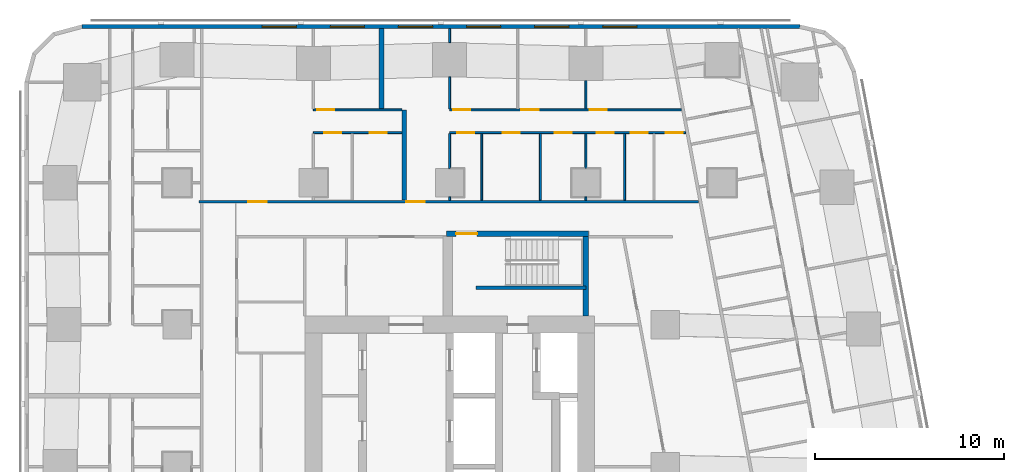
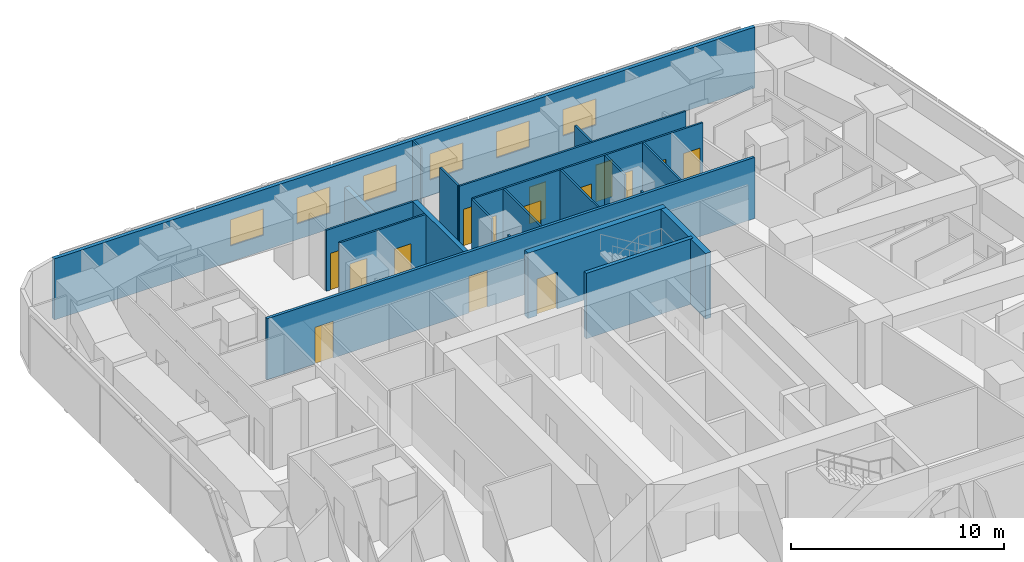
# One storey, part 10 of 15: 21 walls, 15 doors, 6 windows, 21 openings.
"""IFC4 building model written with IfcOpenShell, lengths in metres."""

from ifc_helpers import new_model, si_unit, direction, frame, frame_2d, origin, place, context, subcontext, project, spatial, rectangle, extrude, material, layer, layer_set, type_object, element, fill, save


model = new_model("IFC4")

# Units and contexts
model_context = context("Model", 3, precision=1e-05, world=origin(), true_north=direction((0.0, 1.0)))
body_context = subcontext(model_context, "Body", "Model", "MODEL_VIEW")
ifc_project = project(units=[si_unit("LENGTHUNIT", "METRE"), si_unit("AREAUNIT", "SQUARE_METRE"), si_unit("VOLUMEUNIT", "CUBIC_METRE"), si_unit("PLANEANGLEUNIT", "RADIAN"), si_unit("MASSUNIT", "GRAM", prefix="KILO")], contexts=[model_context])

# Site, building, storey
site_placement = place(None, origin())
site = spatial("IfcSite", under=ifc_project, at=site_placement, CompositionType="ELEMENT")
building_placement = place(site_placement, origin())
building = spatial("IfcBuilding", under=site, at=building_placement, Name="Sheger Commons Tower", CompositionType="ELEMENT")
storey_placement = place(building_placement, frame((0.0, 0.0, 162.050048828125)))
storey = spatial("IfcBuildingStorey", under=building, at=storey_placement, Name="L41", CompositionType="ELEMENT", Elevation=162.050048828125)

# Wall, openings, doors
ifc_material_1 = material(Name="Hollow concrete block masonry, skimmed both sides", Category="masonry")
ifc_layer_1 = layer(ifc_material_1, 0.14990234375)
ifc_layer_set_1 = layer_set([ifc_layer_1], Name="CORRIDOR WALL 150")
wall_type_1 = type_object("IfcWallType", Name="CORRIDOR WALL 150", PredefinedType="SOLIDWALL", material=ifc_layer_set_1)
wall_1_placement = place(storey_placement, frame((8.35009765625, 36.5, 0.0), z_axis=(0.0, 0.0, 1.0), x_axis=(1.0, 0.0, 0.0)))
wall_1 = element("IfcWall", 1, at=wall_1_placement, inside=storey, type_object=wall_type_1, Name="Corridor wall L41", PredefinedType="SOLIDWALL", context=body_context, shape_type="SweptSolid", body=[
    extrude(rectangle(XDim=26.414794921875, YDim=0.14990234375, at=frame_2d((13.20751953125, 0.0))), origin(), (0.0, 0.0, 1.0), 3.5),
])
opening_1_placement = place(wall_1_placement, frame((2.60009765625, 0.0, 0.0)))
opening_1 = element("IfcOpeningElement", 2, at=opening_1_placement, cuts=wall_1, Name="Opening D1", PredefinedType="OPENING", context=body_context, shape_type="SweptSolid", body=[
    extrude(rectangle(XDim=1.0, YDim=2.10009765625, at=frame_2d((0.5, 1.050048828125))), frame((0.0, 0.0849609375, 0.0), z_axis=(0.0, -1.0, 0.0), x_axis=(1.0, 0.0, 0.0)), (0.0, 0.0, 1.0), 0.169921875),
])
opening_2_placement = place(wall_1_placement, frame((10.948974609375, 0.0, 0.0)))
opening_2 = element("IfcOpeningElement", 3, at=opening_2_placement, cuts=wall_1, Name="Opening D1", PredefinedType="OPENING", context=body_context, shape_type="SweptSolid", body=[
    extrude(rectangle(XDim=1.0, YDim=2.10009765625, at=frame_2d((0.5, 1.050048828125))), frame((0.0, 0.0849609375, 0.0), z_axis=(0.0, -1.0, 0.0), x_axis=(1.0, 0.0, 0.0)), (0.0, 0.0, 1.0), 0.169921875),
])
ifc_material_2 = material(Name="Steel door set, fire rated", Category="steel")
door_type_1 = type_object("IfcDoorType", Name="FLAT ENTRANCE DOOR 1000x2100", OperationType="NOTDEFINED", PredefinedType="DOOR", material=ifc_material_2)
door_1_placement = place(opening_1_placement, origin())
door_1 = element("IfcDoor", 4, at=door_1_placement, inside=storey, type_object=door_type_1, Name="Flat entrance door", OperationType="SINGLE_SWING_LEFT", OverallHeight=2.10009765625, OverallWidth=1.0, PredefinedType="DOOR", context=body_context, shape_type="SweptSolid", body=[
    extrude(rectangle(XDim=1.0, YDim=2.10009765625, at=frame_2d((0.5, 1.050048828125))), frame((0.0, 0.02490234375, 0.0), z_axis=(0.0, -1.0, 0.0), x_axis=(1.0, 0.0, 0.0)), (0.0, 0.0, 1.0), 0.050048828125),
])
fill(opening_1, door_1)
door_2_placement = place(opening_2_placement, origin())
door_2 = element("IfcDoor", 5, at=door_2_placement, inside=storey, type_object=door_type_1, Name="Flat entrance door", OperationType="SINGLE_SWING_LEFT", OverallHeight=2.10009765625, OverallWidth=1.0, PredefinedType="DOOR", context=body_context, shape_type="SweptSolid", body=[
    extrude(rectangle(XDim=1.0, YDim=2.10009765625, at=frame_2d((0.5, 1.050048828125))), frame((0.0, 0.02490234375, 0.0), z_axis=(0.0, -1.0, 0.0), x_axis=(1.0, 0.0, 0.0)), (0.0, 0.0, 1.0), 0.050048828125),
])
fill(opening_2, door_2)

# Walls
ifc_material_3 = material(Name="Dense concrete block masonry, plastered both sides (separating wall between flats)", Category="masonry")
ifc_layer_2 = layer(ifc_material_3, 0.25)
ifc_layer_set_2 = layer_set([ifc_layer_2], Name="DEMISING WALL 250")
wall_type_2 = type_object("IfcWallType", Name="DEMISING WALL 250", PredefinedType="SOLIDWALL", material=ifc_layer_set_2)
wall_2_placement = place(storey_placement, frame((18.0, 41.39990234375, 0.0), z_axis=(0.0, 0.0, 1.0), x_axis=(0.0, 1.0, 0.0)))
element("IfcWall", 6, at=wall_2_placement, inside=storey, type_object=wall_type_2, Name="Demising wall L41", PredefinedType="SOLIDWALL", context=body_context, shape_type="SweptSolid", body=[
    extrude(rectangle(XDim=4.25, YDim=0.25, at=frame_2d((2.125, 0.0))), origin(), (0.0, 0.0, 1.0), 2.099853515625),
])
wall_3_placement = place(storey_placement, frame((19.198974609375, 36.574951171875, 0.0), z_axis=(0.0, 0.0, 1.0), x_axis=(0.0, 1.0, 0.0)))
element("IfcWall", 7, at=wall_3_placement, inside=storey, type_object=wall_type_2, Name="Demising wall L41", PredefinedType="SOLIDWALL", context=body_context, shape_type="SweptSolid", body=[
    extrude(rectangle(XDim=4.775146484375, YDim=0.25, at=frame_2d((2.3876953125, 0.0))), origin(), (0.0, 0.0, 1.0), 3.5),
])

# Wall, openings, windows
ifc_material_4 = material(Name="Rendered concrete block masonry, dark grey", Category="masonry")
ifc_layer_3 = layer(ifc_material_4, 0.199951171875)
ifc_layer_set_3 = layer_set([ifc_layer_3], Name="FACADE WALL 200")
wall_type_3 = type_object("IfcWallType", Name="FACADE WALL 200", PredefinedType="SOLIDWALL", material=ifc_layer_set_3)
wall_4_placement = place(storey_placement, frame((40.10595703125, 45.75, 0.0), z_axis=(0.0, 0.0, 1.0), x_axis=(-1.0, 0.0, 0.0)))
wall_4 = element("IfcWall", 8, at=wall_4_placement, inside=storey, type_object=wall_type_3, Name="Facade wall L41", PredefinedType="SOLIDWALL", context=body_context, shape_type="SweptSolid", body=[
    extrude(rectangle(XDim=37.94287109375, YDim=0.199951171875, at=frame_2d((18.971435546875, 0.0))), origin(), (0.0, 0.0, 1.0), 3.5),
])
opening_3_placement = place(wall_4_placement, frame((8.60595703125, 0.0, 0.89990234375)))
opening_3 = element("IfcOpeningElement", 9, at=opening_3_placement, cuts=wall_4, Name="Opening W2", PredefinedType="OPENING", context=body_context, shape_type="SweptSolid", body=[
    extrude(rectangle(XDim=1.800048828125, YDim=1.5, at=frame_2d((0.89990234375, 0.75))), frame((0.0, 0.10986328125, 0.0), z_axis=(0.0, -1.0, 0.0), x_axis=(1.0, 0.0, 0.0)), (0.0, 0.0, 1.0), 0.219970703125),
])
opening_4_placement = place(wall_4_placement, frame((12.2060546875, 0.0, 0.89990234375)))
opening_4 = element("IfcOpeningElement", 10, at=opening_4_placement, cuts=wall_4, Name="Opening W2", PredefinedType="OPENING", context=body_context, shape_type="SweptSolid", body=[
    extrude(rectangle(XDim=1.800048828125, YDim=1.5, at=frame_2d((0.89990234375, 0.75))), frame((0.0, 0.10986328125, 0.0), z_axis=(0.0, -1.0, 0.0), x_axis=(1.0, 0.0, 0.0)), (0.0, 0.0, 1.0), 0.219970703125),
])
opening_5_placement = place(wall_4_placement, frame((15.805908203125, 0.0, 0.89990234375)))
opening_5 = element("IfcOpeningElement", 11, at=opening_5_placement, cuts=wall_4, Name="Opening W2", PredefinedType="OPENING", context=body_context, shape_type="SweptSolid", body=[
    extrude(rectangle(XDim=1.800048828125, YDim=1.5, at=frame_2d((0.89990234375, 0.75))), frame((0.0, 0.10986328125, 0.0), z_axis=(0.0, -1.0, 0.0), x_axis=(1.0, 0.0, 0.0)), (0.0, 0.0, 1.0), 0.219970703125),
])
opening_6_placement = place(wall_4_placement, frame((19.406005859375, 0.0, 0.89990234375)))
opening_6 = element("IfcOpeningElement", 12, at=opening_6_placement, cuts=wall_4, Name="Opening W2", PredefinedType="OPENING", context=body_context, shape_type="SweptSolid", body=[
    extrude(rectangle(XDim=1.800048828125, YDim=1.5, at=frame_2d((0.89990234375, 0.75))), frame((0.0, 0.10986328125, 0.0), z_axis=(0.0, -1.0, 0.0), x_axis=(1.0, 0.0, 0.0)), (0.0, 0.0, 1.0), 0.219970703125),
])
opening_7_placement = place(wall_4_placement, frame((23.006103515625, 0.0, 0.89990234375)))
opening_7 = element("IfcOpeningElement", 13, at=opening_7_placement, cuts=wall_4, Name="Opening W2", PredefinedType="OPENING", context=body_context, shape_type="SweptSolid", body=[
    extrude(rectangle(XDim=1.800048828125, YDim=1.5, at=frame_2d((0.89990234375, 0.75))), frame((0.0, 0.10986328125, 0.0), z_axis=(0.0, -1.0, 0.0), x_axis=(1.0, 0.0, 0.0)), (0.0, 0.0, 1.0), 0.219970703125),
])
opening_8_placement = place(wall_4_placement, frame((26.60595703125, 0.0, 0.89990234375)))
opening_8 = element("IfcOpeningElement", 14, at=opening_8_placement, cuts=wall_4, Name="Opening W2", PredefinedType="OPENING", context=body_context, shape_type="SweptSolid", body=[
    extrude(rectangle(XDim=1.800048828125, YDim=1.5, at=frame_2d((0.89990234375, 0.75))), frame((0.0, 0.10986328125, 0.0), z_axis=(0.0, -1.0, 0.0), x_axis=(1.0, 0.0, 0.0)), (0.0, 0.0, 1.0), 0.219970703125),
])
ifc_material_5 = material(Name="Black aluminium frame, dark tinted double glazing", Category="aluminium")
window_type = type_object("IfcWindowType", Name="WINDOW W2 1800x1500", PartitioningType="SINGLE_PANEL", PredefinedType="WINDOW", material=ifc_material_5)
window_1_placement = place(opening_3_placement, origin())
window_1 = element("IfcWindow", 15, at=window_1_placement, inside=storey, type_object=window_type, Name="Window W2 1800X1500", OverallHeight=1.5, OverallWidth=1.800048828125, PartitioningType="SINGLE_PANEL", PredefinedType="WINDOW", context=body_context, shape_type="SweptSolid", body=[
    extrude(rectangle(XDim=1.800048828125, YDim=1.5, at=frame_2d((0.89990234375, 0.75))), frame((0.0, 0.030029296875, 0.0), z_axis=(0.0, -1.0, 0.0), x_axis=(1.0, 0.0, 0.0)), (0.0, 0.0, 1.0), 0.06005859375),
])
fill(opening_3, window_1)
window_2_placement = place(opening_4_placement, origin())
window_2 = element("IfcWindow", 16, at=window_2_placement, inside=storey, type_object=window_type, Name="Window W2 1800X1500", OverallHeight=1.5, OverallWidth=1.800048828125, PartitioningType="SINGLE_PANEL", PredefinedType="WINDOW", context=body_context, shape_type="SweptSolid", body=[
    extrude(rectangle(XDim=1.800048828125, YDim=1.5, at=frame_2d((0.89990234375, 0.75))), frame((0.0, 0.030029296875, 0.0), z_axis=(0.0, -1.0, 0.0), x_axis=(1.0, 0.0, 0.0)), (0.0, 0.0, 1.0), 0.06005859375),
])
fill(opening_4, window_2)
window_3_placement = place(opening_5_placement, origin())
window_3 = element("IfcWindow", 17, at=window_3_placement, inside=storey, type_object=window_type, Name="Window W2 1800X1500", OverallHeight=1.5, OverallWidth=1.800048828125, PartitioningType="SINGLE_PANEL", PredefinedType="WINDOW", context=body_context, shape_type="SweptSolid", body=[
    extrude(rectangle(XDim=1.800048828125, YDim=1.5, at=frame_2d((0.89990234375, 0.75))), frame((0.0, 0.030029296875, 0.0), z_axis=(0.0, -1.0, 0.0), x_axis=(1.0, 0.0, 0.0)), (0.0, 0.0, 1.0), 0.06005859375),
])
fill(opening_5, window_3)
window_4_placement = place(opening_6_placement, origin())
window_4 = element("IfcWindow", 18, at=window_4_placement, inside=storey, type_object=window_type, Name="Window W2 1800X1500", OverallHeight=1.5, OverallWidth=1.800048828125, PartitioningType="SINGLE_PANEL", PredefinedType="WINDOW", context=body_context, shape_type="SweptSolid", body=[
    extrude(rectangle(XDim=1.800048828125, YDim=1.5, at=frame_2d((0.89990234375, 0.75))), frame((0.0, 0.030029296875, 0.0), z_axis=(0.0, -1.0, 0.0), x_axis=(1.0, 0.0, 0.0)), (0.0, 0.0, 1.0), 0.06005859375),
])
fill(opening_6, window_4)
window_5_placement = place(opening_7_placement, origin())
window_5 = element("IfcWindow", 19, at=window_5_placement, inside=storey, type_object=window_type, Name="Window W2 1800X1500", OverallHeight=1.5, OverallWidth=1.800048828125, PartitioningType="SINGLE_PANEL", PredefinedType="WINDOW", context=body_context, shape_type="SweptSolid", body=[
    extrude(rectangle(XDim=1.800048828125, YDim=1.5, at=frame_2d((0.89990234375, 0.75))), frame((0.0, 0.030029296875, 0.0), z_axis=(0.0, -1.0, 0.0), x_axis=(1.0, 0.0, 0.0)), (0.0, 0.0, 1.0), 0.06005859375),
])
fill(opening_7, window_5)
window_6_placement = place(opening_8_placement, origin())
window_6 = element("IfcWindow", 20, at=window_6_placement, inside=storey, type_object=window_type, Name="Window W2 1800X1500", OverallHeight=1.5, OverallWidth=1.800048828125, PartitioningType="SINGLE_PANEL", PredefinedType="WINDOW", context=body_context, shape_type="SweptSolid", body=[
    extrude(rectangle(XDim=1.800048828125, YDim=1.5, at=frame_2d((0.89990234375, 0.75))), frame((0.0, 0.030029296875, 0.0), z_axis=(0.0, -1.0, 0.0), x_axis=(1.0, 0.0, 0.0)), (0.0, 0.0, 1.0), 0.06005859375),
])
fill(opening_8, window_6)

# Wall, opening, door
ifc_material_6 = material(Name="Gypsum board on steel studs", Category="steel")
ifc_layer_4 = layer(ifc_material_6, 0.10009765625)
ifc_layer_set_4 = layer_set([ifc_layer_4], Name="PARTITION 100")
wall_type_4 = type_object("IfcWallType", Name="PARTITION 100", PredefinedType="PARTITIONING", material=ifc_layer_set_4)
wall_5_placement = place(storey_placement, frame((14.39990234375, 41.35009765625, 0.0), z_axis=(0.0, 0.0, 1.0), x_axis=(1.0, 0.0, 0.0)))
wall_5 = element("IfcWall", 21, at=wall_5_placement, inside=storey, type_object=wall_type_4, Name="Partition L41", PredefinedType="PARTITIONING", context=body_context, shape_type="SweptSolid", body=[
    extrude(rectangle(XDim=4.674072265625, YDim=0.10009765625, at=frame_2d((2.3369140625, 0.0))), origin(), (0.0, 0.0, 1.0), 3.5),
])
opening_9_placement = place(wall_5_placement, frame((0.199951171875, 0.0, 0.0)))
opening_9 = element("IfcOpeningElement", 22, at=opening_9_placement, cuts=wall_5, Name="Opening D2", PredefinedType="OPENING", context=body_context, shape_type="SweptSolid", body=[
    extrude(rectangle(XDim=0.89990234375, YDim=2.10009765625, at=frame_2d((0.449951171875, 1.050048828125))), frame((0.0, 0.06005859375, 0.0), z_axis=(0.0, -1.0, 0.0), x_axis=(1.0, 0.0, 0.0)), (0.0, 0.0, 1.0), 0.1201171875),
])
ifc_material_7 = material(Name="Timber door set", Category="wood")
door_type_2 = type_object("IfcDoorType", Name="INTERNAL DOOR 900x2100", OperationType="NOTDEFINED", PredefinedType="DOOR", material=ifc_material_7)
door_3_placement = place(opening_9_placement, origin())
door_3 = element("IfcDoor", 23, at=door_3_placement, inside=storey, type_object=door_type_2, Name="Main bedroom door", OperationType="SINGLE_SWING_LEFT", OverallHeight=2.10009765625, OverallWidth=0.89990234375, PredefinedType="DOOR", context=body_context, shape_type="SweptSolid", body=[
    extrude(rectangle(XDim=0.89990234375, YDim=2.10009765625, at=frame_2d((0.449951171875, 1.050048828125))), frame((0.0, 0.02490234375, 0.0), z_axis=(0.0, -1.0, 0.0), x_axis=(1.0, 0.0, 0.0)), (0.0, 0.0, 1.0), 0.050048828125),
])
fill(opening_9, door_3)

# Wall, openings, doors
wall_6_placement = place(storey_placement, frame((14.39990234375, 40.14990234375, 0.0), z_axis=(0.0, 0.0, 1.0), x_axis=(1.0, 0.0, 0.0)))
wall_6 = element("IfcWall", 24, at=wall_6_placement, inside=storey, type_object=wall_type_4, Name="Partition L41", PredefinedType="PARTITIONING", context=body_context, shape_type="SweptSolid", body=[
    extrude(rectangle(XDim=4.674072265625, YDim=0.10009765625, at=frame_2d((2.3369140625, 0.0))), origin(), (0.0, 0.0, 1.0), 3.5),
])
opening_10_placement = place(wall_6_placement, frame((0.574951171875, 0.0, 0.0)))
opening_10 = element("IfcOpeningElement", 25, at=opening_10_placement, cuts=wall_6, Name="Opening D2", PredefinedType="OPENING", context=body_context, shape_type="SweptSolid", body=[
    extrude(rectangle(XDim=0.89990234375, YDim=2.10009765625, at=frame_2d((0.449951171875, 1.050048828125))), frame((0.0, 0.06005859375, 0.0), z_axis=(0.0, -1.0, 0.0), x_axis=(1.0, 0.0, 0.0)), (0.0, 0.0, 1.0), 0.1201171875),
])
opening_11_placement = place(wall_6_placement, frame((2.97509765625, 0.0, 0.0)))
opening_11 = element("IfcOpeningElement", 26, at=opening_11_placement, cuts=wall_6, Name="Opening D2", PredefinedType="OPENING", context=body_context, shape_type="SweptSolid", body=[
    extrude(rectangle(XDim=0.89990234375, YDim=2.10009765625, at=frame_2d((0.449951171875, 1.050048828125))), frame((0.0, 0.06005859375, 0.0), z_axis=(0.0, -1.0, 0.0), x_axis=(1.0, 0.0, 0.0)), (0.0, 0.0, 1.0), 0.1201171875),
])
door_4_placement = place(opening_10_placement, origin())
door_4 = element("IfcDoor", 27, at=door_4_placement, inside=storey, type_object=door_type_2, Name="Bathroom door", OperationType="SINGLE_SWING_RIGHT", OverallHeight=2.10009765625, OverallWidth=0.89990234375, PredefinedType="DOOR", context=body_context, shape_type="SweptSolid", body=[
    extrude(rectangle(XDim=0.89990234375, YDim=2.10009765625, at=frame_2d((0.449951171875, 1.050048828125))), frame((0.0, 0.02490234375, 0.0), z_axis=(0.0, -1.0, 0.0), x_axis=(1.0, 0.0, 0.0)), (0.0, 0.0, 1.0), 0.050048828125),
])
fill(opening_10, door_4)
door_5_placement = place(opening_11_placement, origin())
door_5 = element("IfcDoor", 28, at=door_5_placement, inside=storey, type_object=door_type_2, Name="Store door", OperationType="SINGLE_SWING_LEFT", OverallHeight=2.10009765625, OverallWidth=0.89990234375, PredefinedType="DOOR", context=body_context, shape_type="SweptSolid", body=[
    extrude(rectangle(XDim=0.89990234375, YDim=2.10009765625, at=frame_2d((0.449951171875, 1.050048828125))), frame((0.0, 0.02490234375, 0.0), z_axis=(0.0, -1.0, 0.0), x_axis=(1.0, 0.0, 0.0)), (0.0, 0.0, 1.0), 0.050048828125),
])
fill(opening_11, door_5)

wall_7_placement = place(storey_placement, frame((21.60009765625, 41.35009765625, 0.0), z_axis=(0.0, 0.0, 1.0), x_axis=(1.0, 0.0, 0.0)))
wall_7 = element("IfcWall", 29, at=wall_7_placement, inside=storey, type_object=wall_type_4, Name="Partition L41", PredefinedType="PARTITIONING", context=body_context, shape_type="SweptSolid", body=[
    extrude(rectangle(XDim=12.2529296875, YDim=0.10009765625, at=frame_2d((6.12646484375, 0.0))), origin(), (0.0, 0.0, 1.0), 3.5),
])
opening_12_placement = place(wall_7_placement, frame((0.199951171875, 0.0, 0.0)))
opening_12 = element("IfcOpeningElement", 30, at=opening_12_placement, cuts=wall_7, Name="Opening D2", PredefinedType="OPENING", context=body_context, shape_type="SweptSolid", body=[
    extrude(rectangle(XDim=0.89990234375, YDim=2.10009765625, at=frame_2d((0.449951171875, 1.050048828125))), frame((0.0, 0.06005859375, 0.0), z_axis=(0.0, -1.0, 0.0), x_axis=(1.0, 0.0, 0.0)), (0.0, 0.0, 1.0), 0.1201171875),
])
opening_13_placement = place(wall_7_placement, frame((3.800048828125, 0.0, 0.0)))
opening_13 = element("IfcOpeningElement", 31, at=opening_13_placement, cuts=wall_7, Name="Opening D2", PredefinedType="OPENING", context=body_context, shape_type="SweptSolid", body=[
    extrude(rectangle(XDim=0.89990234375, YDim=2.10009765625, at=frame_2d((0.449951171875, 1.050048828125))), frame((0.0, 0.06005859375, 0.0), z_axis=(0.0, -1.0, 0.0), x_axis=(1.0, 0.0, 0.0)), (0.0, 0.0, 1.0), 0.1201171875),
])
opening_14_placement = place(wall_7_placement, frame((7.39990234375, 0.0, 0.0)))
opening_14 = element("IfcOpeningElement", 32, at=opening_14_placement, cuts=wall_7, Name="Opening D2", PredefinedType="OPENING", context=body_context, shape_type="SweptSolid", body=[
    extrude(rectangle(XDim=0.89990234375, YDim=2.10009765625, at=frame_2d((0.449951171875, 1.050048828125))), frame((0.0, 0.06005859375, 0.0), z_axis=(0.0, -1.0, 0.0), x_axis=(1.0, 0.0, 0.0)), (0.0, 0.0, 1.0), 0.1201171875),
])
door_6_placement = place(opening_12_placement, origin())
door_6 = element("IfcDoor", 33, at=door_6_placement, inside=storey, type_object=door_type_2, Name="Main bedroom door", OperationType="SINGLE_SWING_LEFT", OverallHeight=2.10009765625, OverallWidth=0.89990234375, PredefinedType="DOOR", context=body_context, shape_type="SweptSolid", body=[
    extrude(rectangle(XDim=0.89990234375, YDim=2.10009765625, at=frame_2d((0.449951171875, 1.050048828125))), frame((0.0, 0.02490234375, 0.0), z_axis=(0.0, -1.0, 0.0), x_axis=(1.0, 0.0, 0.0)), (0.0, 0.0, 1.0), 0.050048828125),
])
fill(opening_12, door_6)
door_7_placement = place(opening_13_placement, origin())
door_7 = element("IfcDoor", 34, at=door_7_placement, inside=storey, type_object=door_type_2, Name="Bedroom 2 door", OperationType="SINGLE_SWING_LEFT", OverallHeight=2.10009765625, OverallWidth=0.89990234375, PredefinedType="DOOR", context=body_context, shape_type="SweptSolid", body=[
    extrude(rectangle(XDim=0.89990234375, YDim=2.10009765625, at=frame_2d((0.449951171875, 1.050048828125))), frame((0.0, 0.02490234375, 0.0), z_axis=(0.0, -1.0, 0.0), x_axis=(1.0, 0.0, 0.0)), (0.0, 0.0, 1.0), 0.050048828125),
])
fill(opening_13, door_7)
door_8_placement = place(opening_14_placement, origin())
door_8 = element("IfcDoor", 35, at=door_8_placement, inside=storey, type_object=door_type_2, Name="Bedroom 3 door", OperationType="SINGLE_SWING_LEFT", OverallHeight=2.10009765625, OverallWidth=0.89990234375, PredefinedType="DOOR", context=body_context, shape_type="SweptSolid", body=[
    extrude(rectangle(XDim=0.89990234375, YDim=2.10009765625, at=frame_2d((0.449951171875, 1.050048828125))), frame((0.0, 0.02490234375, 0.0), z_axis=(0.0, -1.0, 0.0), x_axis=(1.0, 0.0, 0.0)), (0.0, 0.0, 1.0), 0.050048828125),
])
fill(opening_14, door_8)

wall_8_placement = place(storey_placement, frame((21.60009765625, 40.14990234375, 0.0), z_axis=(0.0, 0.0, 1.0), x_axis=(1.0, 0.0, 0.0)))
wall_8 = element("IfcWall", 36, at=wall_8_placement, inside=storey, type_object=wall_type_4, Name="Partition L41", PredefinedType="PARTITIONING", context=body_context, shape_type="SweptSolid", body=[
    extrude(rectangle(XDim=12.47998046875, YDim=0.10009765625, at=frame_2d((6.239990234375, 0.0))), origin(), (0.0, 0.0, 1.0), 3.5),
])
opening_15_placement = place(wall_8_placement, frame((0.39990234375, 0.0, 0.0)))
opening_15 = element("IfcOpeningElement", 37, at=opening_15_placement, cuts=wall_8, Name="Opening D2", PredefinedType="OPENING", context=body_context, shape_type="SweptSolid", body=[
    extrude(rectangle(XDim=0.89990234375, YDim=2.10009765625, at=frame_2d((0.449951171875, 1.050048828125))), frame((0.0, 0.06005859375, 0.0), z_axis=(0.0, -1.0, 0.0), x_axis=(1.0, 0.0, 0.0)), (0.0, 0.0, 1.0), 0.1201171875),
])
opening_16_placement = place(wall_8_placement, frame((5.549072265625, 0.0, 0.0)))
opening_16 = element("IfcOpeningElement", 38, at=opening_16_placement, cuts=wall_8, Name="Opening D2", PredefinedType="OPENING", context=body_context, shape_type="SweptSolid", body=[
    extrude(rectangle(XDim=0.89990234375, YDim=2.10009765625, at=frame_2d((0.449951171875, 1.050048828125))), frame((0.0, 0.06005859375, 0.0), z_axis=(0.0, -1.0, 0.0), x_axis=(1.0, 0.0, 0.0)), (0.0, 0.0, 1.0), 0.1201171875),
])
opening_17_placement = place(wall_8_placement, frame((7.77490234375, 0.0, 0.0)))
opening_17 = element("IfcOpeningElement", 39, at=opening_17_placement, cuts=wall_8, Name="Opening D2", PredefinedType="OPENING", context=body_context, shape_type="SweptSolid", body=[
    extrude(rectangle(XDim=0.89990234375, YDim=2.10009765625, at=frame_2d((0.449951171875, 1.050048828125))), frame((0.0, 0.06005859375, 0.0), z_axis=(0.0, -1.0, 0.0), x_axis=(1.0, 0.0, 0.0)), (0.0, 0.0, 1.0), 0.1201171875),
])
opening_18_placement = place(wall_8_placement, frame((11.429931640625, 0.0, 0.0)))
opening_18 = element("IfcOpeningElement", 40, at=opening_18_placement, cuts=wall_8, Name="Opening D2", PredefinedType="OPENING", context=body_context, shape_type="SweptSolid", body=[
    extrude(rectangle(XDim=0.89990234375, YDim=2.10009765625, at=frame_2d((0.449951171875, 1.050048828125))), frame((0.0, 0.06005859375, 0.0), z_axis=(0.0, -1.0, 0.0), x_axis=(1.0, 0.0, 0.0)), (0.0, 0.0, 1.0), 0.1201171875),
])
opening_19_placement = place(wall_8_placement, frame((2.799072265625, 0.0, 0.0)))
opening_19 = element("IfcOpeningElement", 41, at=opening_19_placement, cuts=wall_8, Name="Opening D2", PredefinedType="OPENING", context=body_context, shape_type="SweptSolid", body=[
    extrude(rectangle(XDim=0.89990234375, YDim=2.10009765625, at=frame_2d((0.449951171875, 1.050048828125))), frame((0.0, 0.06005859375, 0.0), z_axis=(0.0, -1.0, 0.0), x_axis=(1.0, 0.0, 0.0)), (0.0, 0.0, 1.0), 0.1201171875),
])
opening_20_placement = place(wall_8_placement, frame((9.574951171875, 0.0, 0.0)))
opening_20 = element("IfcOpeningElement", 42, at=opening_20_placement, cuts=wall_8, Name="Opening D2", PredefinedType="OPENING", context=body_context, shape_type="SweptSolid", body=[
    extrude(rectangle(XDim=0.89990234375, YDim=2.10009765625, at=frame_2d((0.449951171875, 1.050048828125))), frame((0.0, 0.06005859375, 0.0), z_axis=(0.0, -1.0, 0.0), x_axis=(1.0, 0.0, 0.0)), (0.0, 0.0, 1.0), 0.1201171875),
])
door_9_placement = place(opening_15_placement, origin())
door_9 = element("IfcDoor", 43, at=door_9_placement, inside=storey, type_object=door_type_2, Name="Laundry room door", OperationType="SINGLE_SWING_RIGHT", OverallHeight=2.10009765625, OverallWidth=0.89990234375, PredefinedType="DOOR", context=body_context, shape_type="SweptSolid", body=[
    extrude(rectangle(XDim=0.89990234375, YDim=2.10009765625, at=frame_2d((0.449951171875, 1.050048828125))), frame((0.0, 0.02490234375, 0.0), z_axis=(0.0, -1.0, 0.0), x_axis=(1.0, 0.0, 0.0)), (0.0, 0.0, 1.0), 0.050048828125),
])
fill(opening_15, door_9)
door_10_placement = place(opening_16_placement, origin())
door_10 = element("IfcDoor", 44, at=door_10_placement, inside=storey, type_object=door_type_2, Name="Laundry room door", OperationType="SINGLE_SWING_LEFT", OverallHeight=2.10009765625, OverallWidth=0.89990234375, PredefinedType="DOOR", context=body_context, shape_type="SweptSolid", body=[
    extrude(rectangle(XDim=0.89990234375, YDim=2.10009765625, at=frame_2d((0.449951171875, 1.050048828125))), frame((0.0, 0.02490234375, 0.0), z_axis=(0.0, -1.0, 0.0), x_axis=(1.0, 0.0, 0.0)), (0.0, 0.0, 1.0), 0.050048828125),
])
fill(opening_16, door_10)
door_11_placement = place(opening_17_placement, origin())
door_11 = element("IfcDoor", 45, at=door_11_placement, inside=storey, type_object=door_type_2, Name="Bathroom door", OperationType="SINGLE_SWING_LEFT", OverallHeight=2.10009765625, OverallWidth=0.89990234375, PredefinedType="DOOR", context=body_context, shape_type="SweptSolid", body=[
    extrude(rectangle(XDim=0.89990234375, YDim=2.10009765625, at=frame_2d((0.449951171875, 1.050048828125))), frame((0.0, 0.02490234375, 0.0), z_axis=(0.0, -1.0, 0.0), x_axis=(1.0, 0.0, 0.0)), (0.0, 0.0, 1.0), 0.050048828125),
])
fill(opening_17, door_11)
door_12_placement = place(opening_18_placement, origin())
door_12 = element("IfcDoor", 46, at=door_12_placement, inside=storey, type_object=door_type_2, Name="Store and laundry door", OperationType="SINGLE_SWING_LEFT", OverallHeight=2.10009765625, OverallWidth=0.89990234375, PredefinedType="DOOR", context=body_context, shape_type="SweptSolid", body=[
    extrude(rectangle(XDim=0.89990234375, YDim=2.10009765625, at=frame_2d((0.449951171875, 1.050048828125))), frame((0.0, 0.02490234375, 0.0), z_axis=(0.0, -1.0, 0.0), x_axis=(1.0, 0.0, 0.0)), (0.0, 0.0, 1.0), 0.050048828125),
])
fill(opening_18, door_12)
door_13_placement = place(opening_19_placement, origin())
door_13 = element("IfcDoor", 47, at=door_13_placement, inside=storey, type_object=door_type_2, Name="Store door", OperationType="SINGLE_SWING_RIGHT", OverallHeight=2.10009765625, OverallWidth=0.89990234375, PredefinedType="DOOR", context=body_context, shape_type="SweptSolid", body=[
    extrude(rectangle(XDim=0.89990234375, YDim=2.10009765625, at=frame_2d((0.449951171875, 1.050048828125))), frame((0.0, 0.02490234375, 0.0), z_axis=(0.0, -1.0, 0.0), x_axis=(1.0, 0.0, 0.0)), (0.0, 0.0, 1.0), 0.050048828125),
])
fill(opening_19, door_13)
door_14_placement = place(opening_20_placement, origin())
door_14 = element("IfcDoor", 48, at=door_14_placement, inside=storey, type_object=door_type_2, Name="Store door", OperationType="SINGLE_SWING_RIGHT", OverallHeight=2.10009765625, OverallWidth=0.89990234375, PredefinedType="DOOR", context=body_context, shape_type="SweptSolid", body=[
    extrude(rectangle(XDim=0.89990234375, YDim=2.10009765625, at=frame_2d((0.449951171875, 1.050048828125))), frame((0.0, 0.02490234375, 0.0), z_axis=(0.0, -1.0, 0.0), x_axis=(1.0, 0.0, 0.0)), (0.0, 0.0, 1.0), 0.050048828125),
])
fill(opening_20, door_14)

# Walls
wall_9_placement = place(storey_placement, frame((21.60009765625, 41.39990234375, 0.0), z_axis=(0.0, 0.0, 1.0), x_axis=(0.0, 1.0, 0.0)))
element("IfcWall", 49, at=wall_9_placement, inside=storey, type_object=wall_type_4, Name="Partition L41", PredefinedType="PARTITIONING", context=body_context, shape_type="SweptSolid", body=[
    extrude(rectangle(XDim=1.69921875, YDim=0.10009765625, at=frame_2d((0.849609375, 0.0))), origin(), (0.0, 0.0, 1.0), 3.5),
])
wall_10_placement = place(storey_placement, frame((21.60009765625, 44.90087890625, 0.0), z_axis=(0.0, 0.0, 1.0), x_axis=(0.0, 1.0, 0.0)))
element("IfcWall", 50, at=wall_10_placement, inside=storey, type_object=wall_type_4, Name="Partition L41", PredefinedType="PARTITIONING", context=body_context, shape_type="SweptSolid", body=[
    extrude(rectangle(XDim=0.7490234375, YDim=0.10009765625, at=frame_2d((0.37451171875, 0.0))), origin(), (0.0, 0.0, 1.0), 3.5),
])
wall_11_placement = place(storey_placement, frame((28.800048828125, 41.39990234375, 0.0), z_axis=(0.0, 0.0, 1.0), x_axis=(0.0, 1.0, 0.0)))
element("IfcWall", 51, at=wall_11_placement, inside=storey, type_object=wall_type_4, Name="Partition L41", PredefinedType="PARTITIONING", context=body_context, shape_type="SweptSolid", body=[
    extrude(rectangle(XDim=1.4990234375, YDim=0.10009765625, at=frame_2d((0.74951171875, 0.0))), origin(), (0.0, 0.0, 1.0), 3.5),
])
wall_12_placement = place(storey_placement, frame((21.60009765625, 36.574951171875, 0.0), z_axis=(0.0, 0.0, 1.0), x_axis=(0.0, 1.0, 0.0)))
element("IfcWall", 52, at=wall_12_placement, inside=storey, type_object=wall_type_4, Name="Partition L41", PredefinedType="PARTITIONING", context=body_context, shape_type="SweptSolid", body=[
    extrude(rectangle(XDim=0.174072265625, YDim=0.10009765625, at=frame_2d((0.0869140625, 0.0))), origin(), (0.0, 0.0, 1.0), 3.5),
])
wall_13_placement = place(storey_placement, frame((21.60009765625, 38.2509765625, 0.0), z_axis=(0.0, 0.0, 1.0), x_axis=(0.0, 1.0, 0.0)))
element("IfcWall", 53, at=wall_13_placement, inside=storey, type_object=wall_type_4, Name="Partition L41", PredefinedType="PARTITIONING", context=body_context, shape_type="SweptSolid", body=[
    extrude(rectangle(XDim=1.84912109375, YDim=0.10009765625, at=frame_2d((0.924560546875, 0.0))), origin(), (0.0, 0.0, 1.0), 3.5),
])
wall_14_placement = place(storey_placement, frame((26.39892578125, 36.574951171875, 0.0), z_axis=(0.0, 0.0, 1.0), x_axis=(0.0, 1.0, 0.0)))
element("IfcWall", 54, at=wall_14_placement, inside=storey, type_object=wall_type_4, Name="Partition L41", PredefinedType="PARTITIONING", context=body_context, shape_type="SweptSolid", body=[
    extrude(rectangle(XDim=3.525146484375, YDim=0.10009765625, at=frame_2d((1.7626953125, 0.0))), origin(), (0.0, 0.0, 1.0), 3.5),
])
wall_15_placement = place(storey_placement, frame((28.800048828125, 36.574951171875, 0.0), z_axis=(0.0, 0.0, 1.0), x_axis=(0.0, 1.0, 0.0)))
element("IfcWall", 55, at=wall_15_placement, inside=storey, type_object=wall_type_4, Name="Partition L41", PredefinedType="PARTITIONING", context=body_context, shape_type="SweptSolid", body=[
    extrude(rectangle(XDim=0.174072265625, YDim=0.10009765625, at=frame_2d((0.0869140625, 0.0))), origin(), (0.0, 0.0, 1.0), 3.5),
])
wall_16_placement = place(storey_placement, frame((28.800048828125, 38.2509765625, 0.0), z_axis=(0.0, 0.0, 1.0), x_axis=(0.0, 1.0, 0.0)))
element("IfcWall", 56, at=wall_16_placement, inside=storey, type_object=wall_type_4, Name="Partition L41", PredefinedType="PARTITIONING", context=body_context, shape_type="SweptSolid", body=[
    extrude(rectangle(XDim=1.84912109375, YDim=0.10009765625, at=frame_2d((0.924560546875, 0.0))), origin(), (0.0, 0.0, 1.0), 3.5),
])
for number, where, z_axis, x_axis, name in (
    (57, (23.300048828125, 36.574951171875, 0.0), (0.0, 0.0, 1.0), (0.0, 1.0, 0.0), "Partition L41"),
    (58, (30.85009765625, 36.574951171875, 0.0), (0.0, 0.0, 1.0), (0.0, 1.0, 0.0), "Partition L41"),
):
    element("IfcWall", number, at=place(storey_placement, frame(where, z_axis=z_axis, x_axis=x_axis)), inside=storey, type_object=wall_type_4, Name=name, PredefinedType="PARTITIONING", context=body_context, shape_type="SweptSolid", body=[
        extrude(rectangle(XDim=3.525146484375, YDim=0.10009765625, at=frame_2d((1.7626953125, 0.0))), origin(), (0.0, 0.0, 1.0), 3.5),
    ])

# Wall, opening, door
ifc_material_8 = material(Name="Concrete C50/60", Category="concrete")
ifc_layer_5 = layer(ifc_material_8, 0.300048828125)
ifc_layer_set_5 = layer_set([ifc_layer_5], Name="STAIR CORE WALL 300")
wall_type_5 = type_object("IfcWallType", Name="STAIR CORE WALL 300", PredefinedType="SHEAR", material=ifc_layer_set_5)
wall_17_placement = place(storey_placement, frame((21.449951171875, 34.800048828125, 0.0), z_axis=(0.0, 0.0, 1.0), x_axis=(1.0, 0.0, 0.0)))
wall_17 = element("IfcWall", 59, at=wall_17_placement, inside=storey, type_object=wall_type_5, Name="STW-L41-S2N", PredefinedType="SHEAR", context=body_context, shape_type="SweptSolid", body=[
    extrude(rectangle(XDim=7.5, YDim=0.300048828125, at=frame_2d((3.75, 0.0))), origin(), (0.0, 0.0, 1.0), 3.75),
])
opening_21_placement = place(wall_17_placement, frame((0.5, 0.0, 0.0)))
opening_21 = element("IfcOpeningElement", 60, at=opening_21_placement, cuts=wall_17, Name="Opening D5", PredefinedType="OPENING", context=body_context, shape_type="SweptSolid", body=[
    extrude(rectangle(XDim=1.10009765625, YDim=2.10009765625, at=frame_2d((0.550048828125, 1.050048828125))), frame((0.0, 0.159912109375, 0.0), z_axis=(0.0, -1.0, 0.0), x_axis=(1.0, 0.0, 0.0)), (0.0, 0.0, 1.0), 0.320068359375),
])
ifc_material_9 = material(Name="Steel door set, fire rated", Category="steel")
door_type_3 = type_object("IfcDoorType", Name="STAIR DOOR 1100x2100", OperationType="NOTDEFINED", PredefinedType="DOOR", material=ifc_material_9)
door_15_placement = place(opening_21_placement, origin())
door_15 = element("IfcDoor", 61, at=door_15_placement, inside=storey, type_object=door_type_3, Name="Stair S2 door", OperationType="SINGLE_SWING_RIGHT", OverallHeight=2.10009765625, OverallWidth=1.10009765625, PredefinedType="DOOR", context=body_context, shape_type="SweptSolid", body=[
    extrude(rectangle(XDim=1.10009765625, YDim=2.10009765625, at=frame_2d((0.550048828125, 1.050048828125))), frame((0.0, 0.02490234375, 0.0), z_axis=(0.0, -1.0, 0.0), x_axis=(1.0, 0.0, 0.0)), (0.0, 0.0, 1.0), 0.050048828125),
])
fill(opening_21, door_15)

# Walls
wall_18_placement = place(storey_placement, frame((28.800048828125, 30.449951171875, 0.0), z_axis=(0.0, 0.0, 1.0), x_axis=(0.0, 1.0, 0.0)))
element("IfcWall", 62, at=wall_18_placement, inside=storey, type_object=wall_type_5, Name="STW-L41-S2E", PredefinedType="SHEAR", context=body_context, shape_type="SweptSolid", body=[
    extrude(rectangle(XDim=4.199951171875, YDim=0.300048828125, at=frame_2d((2.10009765625, 0.0))), origin(), (0.0, 0.0, 1.0), 3.75),
])
ifc_material_10 = material(Name="Concrete C50/60", Category="concrete")
ifc_layer_6 = layer(ifc_material_10, 0.199951171875)
ifc_layer_set_6 = layer_set([ifc_layer_6], Name="STAIR SPINE WALL 200")
wall_type_6 = type_object("IfcWallType", Name="STAIR SPINE WALL 200", PredefinedType="SHEAR", material=ifc_layer_set_6)
wall_19_placement = place(storey_placement, frame((23.0, 31.949951171875, 0.0), z_axis=(0.0, 0.0, 1.0), x_axis=(1.0, 0.0, 0.0)))
element("IfcWall", 63, at=wall_19_placement, inside=storey, type_object=wall_type_6, Name="Stair spine wall L41", PredefinedType="SHEAR", context=body_context, shape_type="SweptSolid", body=[
    extrude(rectangle(XDim=5.800048828125, YDim=0.199951171875, at=frame_2d((2.89990234375, 0.0))), origin(), (0.0, 0.0, 1.0), 3.75),
])

save(model, "model.ifc")
